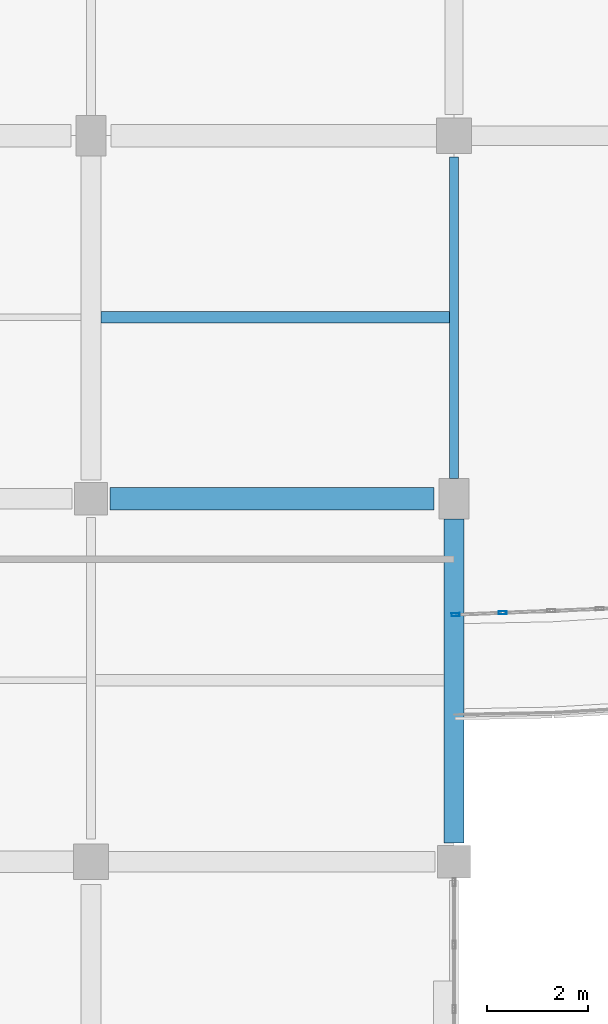
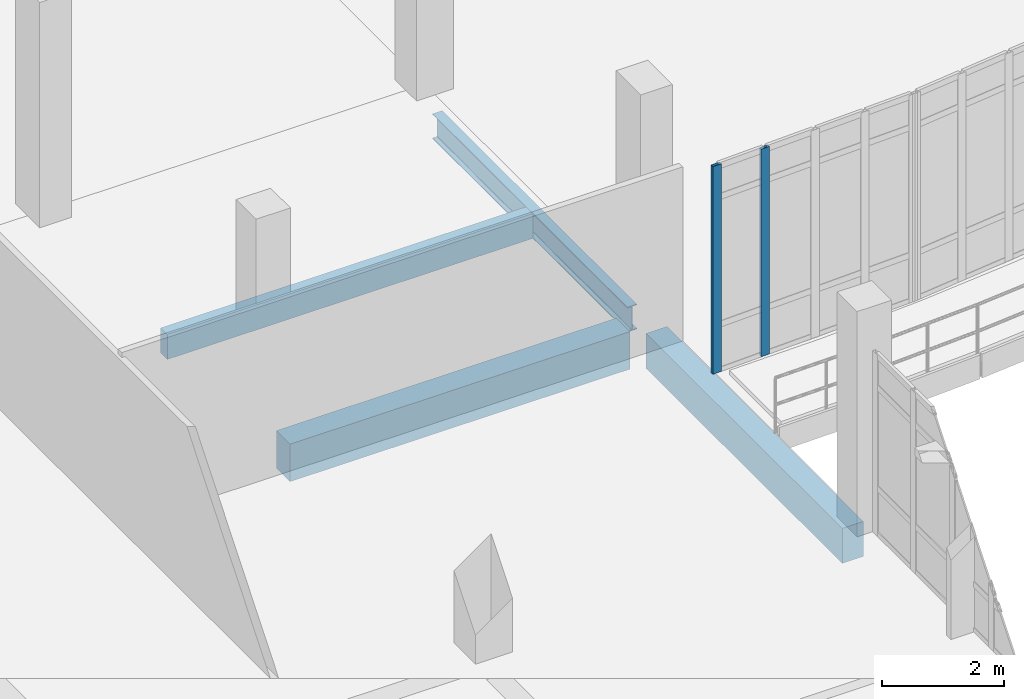
# One storey, part 30 of 124: 4 beams, 2 members, 1 element without a shape of its own.
"""IFC4 building model written with IfcOpenShell, lengths in metres."""

import ifcopenshell
import ifcopenshell.guid

model = None  # the IFC model being written
_history = None  # IfcOwnerHistory: only IFC2X3 demands one
_inside = {}  # id of a spatial element -> (the spatial element, [elements in it])
_under = {}  # id of a project, library or spatial element -> (it, [spatial elements below it])
_declared = {}  # id of a project -> (the project, [libraries it declares])
_typed = {}  # id of a type object -> (the type object, [elements of that type])
_made_of = {}  # id of a material, layer set ... -> (it, [elements and type objects made of it])


def new_model(schema):
    """Start an empty IFC model of exactly this schema.

    Asked for "IFC4X3", IfcOpenShell would pick the latest addendum, in which some entities
    have other attributes; the version numbers below select the first issue.
    IFC2X3 requires an IfcOwnerHistory on every rooted entity: one is made here for all.
    """
    global model, _history
    if schema == "IFC4X3":
        model = ifcopenshell.file(schema_version=(4, 3, 0, 0))
    else:
        model = ifcopenshell.file(schema=schema)
    _inside.clear()
    _under.clear()
    _declared.clear()
    _typed.clear()
    _made_of.clear()
    _history = None
    if model.schema == "IFC2X3":
        org = make("IfcOrganization", Name="unknown")
        user = make(
            "IfcPersonAndOrganization",
            ThePerson=make("IfcPerson", FamilyName="unknown"),
            TheOrganization=org,
        )
        app = make(
            "IfcApplication",
            ApplicationDeveloper=org,
            Version="unknown",
            ApplicationFullName="unknown",
            ApplicationIdentifier="unknown",
        )
        _history = make(
            "IfcOwnerHistory",
            OwningUser=user,
            OwningApplication=app,
            ChangeAction="ADDED",
            CreationDate=0,
        )
    return model


def make(cls, **values):
    """One entity of the class cls with the attributes given. An attribute that is None is left unset."""
    return model.create_entity(
        cls, **{name: value for name, value in values.items() if value is not None}
    )


def rooted(cls, **values):
    """An entity with a GlobalId (a new one), such as an element, a storey or a relation."""
    return make(cls, GlobalId=ifcopenshell.guid.new(), OwnerHistory=_history, **values)


def si_unit(unit_type, name, prefix=None):
    """IfcSIUnit, for example si_unit("LENGTHUNIT", "METRE", prefix="MILLI")."""
    return make("IfcSIUnit", UnitType=unit_type, Prefix=prefix, Name=name)


def assignment(units):
    """IfcUnitAssignment: the units of a project."""
    return None if units is None else make("IfcUnitAssignment", Units=units)


def point(xyz):
    """IfcCartesianPoint."""
    return None if xyz is None else make("IfcCartesianPoint", Coordinates=xyz)


def direction(xyz):
    """IfcDirection."""
    return None if xyz is None else make("IfcDirection", DirectionRatios=xyz)


def frame(location, z_axis=None, x_axis=None):
    """IfcAxis2Placement3D, a coordinate frame: its origin and axes. An axis left out is left unset."""
    return make(
        "IfcAxis2Placement3D",
        Location=point(location),
        Axis=direction(z_axis),
        RefDirection=direction(x_axis),
    )


def frame_2d(location, x_axis=None):
    """IfcAxis2Placement2D, a coordinate frame in the plane: its origin and x axis."""
    return make(
        "IfcAxis2Placement2D", Location=point(location), RefDirection=direction(x_axis)
    )


def origin():
    """The frame at (0, 0, 0) with its axes left unset."""
    return frame((0.0, 0.0, 0.0))


def origin_2d():
    """The frame at (0, 0) in the plane with its x axis left unset."""
    return frame_2d((0.0, 0.0))


def place(relative_to, where):
    """IfcLocalPlacement: puts the frame where relative to a parent placement (None: the world)."""
    return make(
        "IfcLocalPlacement", PlacementRelTo=relative_to, RelativePlacement=where
    )


def context(
    kind, dimensions, precision=None, world=None, true_north=None, identifier=None
):
    """IfcGeometricRepresentationContext, for example the 3D "Model" context."""
    return make(
        "IfcGeometricRepresentationContext",
        ContextIdentifier=identifier,
        ContextType=kind,
        CoordinateSpaceDimension=dimensions,
        Precision=precision,
        WorldCoordinateSystem=world,
        TrueNorth=true_north,
    )


def subcontext(parent, identifier, kind, view, scale=None):
    """IfcGeometricRepresentationSubContext, for example "Body" below "Model"."""
    return make(
        "IfcGeometricRepresentationSubContext",
        ContextIdentifier=identifier,
        ContextType=kind,
        ParentContext=parent,
        TargetScale=scale,
        TargetView=view,
    )


def project(units=None, contexts=None):
    """IfcProject with its units and contexts."""
    return rooted(
        "IfcProject",
        Name="project",
        RepresentationContexts=contexts,
        UnitsInContext=assignment(units),
    )


def spatial(cls, under=None, at=None, **own):
    """A site, building, storey or space (cls), placed at a placement, below another one or the project."""
    s = rooted(cls, ObjectPlacement=at, **own)
    if under is not None:
        _under.setdefault(under.id(), (under, []))[1].append(s)
    return s


def profile(cls, at=None, kind="AREA", **sizes):
    """A parametric profile (cls). Its sizes go by their IFC names, for example OverallWidth=200.0."""
    return make(cls, ProfileType=kind, Position=at, **sizes)


def rectangle(**sizes):
    """IfcRectangleProfileDef."""
    return profile("IfcRectangleProfileDef", **sizes)


def hollow_rectangle(**sizes):
    """IfcRectangleHollowProfileDef."""
    return profile("IfcRectangleHollowProfileDef", **sizes)


def i_section(**sizes):
    """IfcIShapeProfileDef."""
    return profile("IfcIShapeProfileDef", **sizes)


def extrude(swept, where, along, depth):
    """IfcExtrudedAreaSolid: the profile swept, set in the frame where, extruded along a direction by depth."""
    return make(
        "IfcExtrudedAreaSolid",
        SweptArea=swept,
        Position=where,
        ExtrudedDirection=direction(along),
        Depth=depth,
    )


def shape(context_of_items, identifier, shape_type, items):
    """IfcShapeRepresentation: the items that make up one representation, for example the "Body"."""
    return make(
        "IfcShapeRepresentation",
        ContextOfItems=context_of_items,
        RepresentationIdentifier=identifier,
        RepresentationType=shape_type,
        Items=items,
    )


def material(Name=None, Category=None):
    """IfcMaterial."""
    return make("IfcMaterial", Name=Name, Category=Category)


def material_profile(
    of_material, cross_section, Name=None, Category=None, Priority=None
):
    """IfcMaterialProfile: a cross section and its material."""
    return make(
        "IfcMaterialProfile",
        Name=Name,
        Material=of_material,
        Profile=cross_section,
        Priority=Priority,
        Category=Category,
    )


def profile_set(profiles, Name=None, composite=None):
    """IfcMaterialProfileSet."""
    return make(
        "IfcMaterialProfileSet",
        Name=Name,
        MaterialProfiles=profiles,
        CompositeProfile=composite,
    )


def made_of(thing, what):
    """Note that an element or type object is made of a material, layer set ...; save() writes the relation."""
    if what is not None:
        _made_of.setdefault(what.id(), (what, []))[1].append(thing)
    return thing


def type_object(cls, material=None, **own):
    """A type object (cls), such as IfcWallType, which elements share."""
    return made_of(rooted(cls, **own), material)


def element(
    cls,
    number,
    at=None,
    inside=None,
    cuts=None,
    type_object=None,
    material=None,
    context=None,
    identifier="Body",
    shape_type=None,
    held_by="IfcProductDefinitionShape",
    body=None,
    shapes=None,
    **own,
):
    """One element of the class cls, such as IfcWall. Its Tag is "e" and its number.

    at: its placement. inside: the storey or other place that contains it. cuts: it is an
    opening in that element (IfcRelVoidsElement). A single representation is given by context,
    identifier, shape_type and body (its items); several are given by shapes. held_by: the class
    of the entity that holds the representations. save() writes the other relations.
    """
    e = rooted(cls, Tag="e%d" % number, ObjectPlacement=at, **own)
    if body is not None:
        shapes = [shape(context, identifier, shape_type, body)]
    if shapes is not None:
        e.Representation = make(held_by, Representations=shapes)
    if inside is not None:
        _inside.setdefault(inside.id(), (inside, []))[1].append(e)
    if cuts is not None:
        rooted(
            "IfcRelVoidsElement", RelatingBuildingElement=cuts, RelatedOpeningElement=e
        )
    if type_object is not None:
        _typed.setdefault(type_object.id(), (type_object, []))[1].append(e)
    return made_of(e, material)


def aggregate(whole, parts):
    """IfcRelAggregates: a whole, such as a stair, and the parts it consists of."""
    return rooted("IfcRelAggregates", RelatingObject=whole, RelatedObjects=parts)


def save(model, path):
    """Write the relations noted so far, then the file.

    IfcRelAggregates (storeys below a building ...), IfcRelContainedInSpatialStructure (elements
    in a storey), IfcRelDefinesByType, IfcRelAssociatesMaterial and IfcRelDeclares: one each for
    every whole, place, type object, material and project.
    """
    for whole, parts in _under.values():
        aggregate(whole, parts)
    for where, things in _inside.values():
        rooted(
            "IfcRelContainedInSpatialStructure",
            RelatedElements=things,
            RelatingStructure=where,
        )
    for kind, things in _typed.values():
        rooted("IfcRelDefinesByType", RelatedObjects=things, RelatingType=kind)
    for what, things in _made_of.values():
        rooted("IfcRelAssociatesMaterial", RelatedObjects=things, RelatingMaterial=what)
    for by, libraries in _declared.values():
        rooted("IfcRelDeclares", RelatingContext=by, RelatedDefinitions=libraries)
    model.write(path)


model = new_model("IFC4")

# Units and contexts
model_context = context("Model", 3, precision=1e-05, world=origin(), true_north=direction((0.0, 1.0)))
body_context = subcontext(model_context, "Body", "Model", "MODEL_VIEW")
ifc_project = project(units=[si_unit("LENGTHUNIT", "METRE"), si_unit("AREAUNIT", "SQUARE_METRE"), si_unit("VOLUMEUNIT", "CUBIC_METRE"), si_unit("PLANEANGLEUNIT", "RADIAN"), si_unit("MASSUNIT", "GRAM", prefix="KILO")], contexts=[model_context])

# Site, building, storey
site_placement = place(None, origin())
site = spatial("IfcSite", under=ifc_project, at=site_placement, CompositionType="ELEMENT")
building_placement = place(site_placement, origin())
building = spatial("IfcBuilding", under=site, at=building_placement, Name="Kalluvel Institute of Natural Sciences", CompositionType="ELEMENT")
storey_placement = place(building_placement, frame((0.0, 0.0, 9.89990234375)))
storey = spatial("IfcBuildingStorey", under=building, at=storey_placement, Name="L02", CompositionType="ELEMENT", Elevation=9.89990234375)

# Beams
ifc_material_1 = material(Name="Steel E350 Grade 350", Category="steel")
ifc_material_profile_1 = material_profile(ifc_material_1, i_section(OverallWidth=0.179931640625, OverallDepth=0.5, WebThickness=0.01025390625, FlangeThickness=0.01708984375, FilletRadius=0.01708984375, at=origin_2d()), Name="ISMB 500")
ifc_profile_set_1 = profile_set([ifc_material_profile_1], Name="Steel E350 Grade 350")
beam_type_1 = type_object("IfcBeamType", Name="BM-ISMB500", PredefinedType="BEAM", material=ifc_profile_set_1)
beam_1_placement = place(storey_placement, frame((35.60009765625, 57.60009765625, -0.5498046875), z_axis=(0.0, 1.0, 0.0), x_axis=(-1.0, 0.0, 0.0)))
element("IfcBeam", 1, at=beam_1_placement, inside=storey, type_object=beam_type_1, Name="L02 girder GIR-L02-NS-X356-Y572", PredefinedType="BEAM", context=body_context, shape_type="SweptSolid", body=[
    extrude(i_section(OverallWidth=0.179931640625, OverallDepth=0.5, WebThickness=0.01025390625, FlangeThickness=0.01708984375, FilletRadius=0.01708984375, at=origin_2d()), origin(), (0.0, 0.0, 1.0), 6.375),
])
ifc_material_2 = material(Name="Concrete M40", Category="concrete")
ifc_material_profile_2 = material_profile(ifc_material_2, rectangle(XDim=0.39990234375, YDim=0.699951171875, at=origin_2d()), Name="RCB 400x700")
ifc_profile_set_2 = profile_set([ifc_material_profile_2], Name="Concrete M40")
beam_type_2 = type_object("IfcBeamType", Name="BM-RC400x700", PredefinedType="BEAM", material=ifc_profile_set_2)
beam_2_placement = place(storey_placement, frame((35.60009765625, 50.375, -0.64990234375), z_axis=(0.0, 1.0, 0.0), x_axis=(-1.0, 0.0, 0.0)))
element("IfcBeam", 2, at=beam_2_placement, inside=storey, type_object=beam_type_2, Name="L02 girder GIR-L02-NS-X356-Y500", PredefinedType="BEAM", context=body_context, shape_type="SweptSolid", body=[
    extrude(rectangle(XDim=0.39990234375, YDim=0.699951171875, at=origin_2d()), origin(), (0.0, 0.0, 1.0), 6.425048828125),
])
ifc_material_profile_3 = material_profile(ifc_material_2, rectangle(XDim=0.449951171875, YDim=0.75, at=origin_2d()), Name="RCB 450x750")
ifc_profile_set_3 = profile_set([ifc_material_profile_3], Name="Concrete M40")
beam_type_3 = type_object("IfcBeamType", Name="BM-RC450x750", PredefinedType="BEAM", material=ifc_profile_set_3)
beam_3_placement = place(storey_placement, frame((28.77490234375, 57.199951171875, -0.6748046875), z_axis=(1.0, 0.0, 0.0), x_axis=(0.0, 1.0, 0.0)))
element("IfcBeam", 3, at=beam_3_placement, inside=storey, type_object=beam_type_3, Name="L02 girder GIR-L02-EW-X284-Y572", PredefinedType="BEAM", context=body_context, shape_type="SweptSolid", body=[
    extrude(rectangle(XDim=0.449951171875, YDim=0.75, at=origin_2d()), origin(), (0.0, 0.0, 1.0), 6.425048828125),
])

# Curtain wall, members
ifc_material_3 = material(Name="Aluminium AW-6063 T6", Category="aluminium")
curtain_wall_type = type_object("IfcCurtainWallType", Name="CW-ATR-ARC", PredefinedType="USERDEFINED", material=ifc_material_3)
curtain_wall_placement = place(storey_placement, origin())
curtain_wall = element("IfcCurtainWall", 4, at=curtain_wall_placement, inside=storey, type_object=curtain_wall_type, Name="L02 Gothic lancet curtain wall CWA-L02-X356-Y549", ObjectType="UNITISED LANCET FACADE", PredefinedType="USERDEFINED")
ifc_material_profile_4 = material_profile(ifc_material_3, hollow_rectangle(XDim=0.06005859375, YDim=0.159912109375, WallThickness=0.00390625, at=origin_2d()), Name="CWM 60x160")
ifc_profile_set_4 = profile_set([ifc_material_profile_4], Name="Aluminium AW-6063 T6")
member_type = type_object("IfcMemberType", Name="CWM-60x160", PredefinedType="MULLION", material=ifc_profile_set_4)
member_1_placement = place(storey_placement, frame((35.6298828125, 54.901123046875, 0.0), z_axis=(0.0, 0.0, 1.0), x_axis=(-0.040259992374, 0.999189237839, 0.0)))
member_1 = element("IfcMember", 5, at=member_1_placement, type_object=member_type, Name="CW-05 mullion 1", PredefinedType="MULLION", context=body_context, shape_type="SweptSolid", body=[
    extrude(hollow_rectangle(XDim=0.06005859375, YDim=0.159912109375, WallThickness=0.00390625, at=origin_2d()), origin(), (0.0, 0.0, 1.0), 4.150146484375),
])
member_2_placement = place(storey_placement, frame((36.5634765625, 54.938720703125, 0.0), z_axis=(0.0, 0.0, 1.0), x_axis=(-0.040259992374, 0.999189237839, 0.0)))
member_2 = element("IfcMember", 6, at=member_2_placement, type_object=member_type, Name="CW-05 mullion 2", PredefinedType="MULLION", context=body_context, shape_type="SweptSolid", body=[
    extrude(hollow_rectangle(XDim=0.06005859375, YDim=0.159912109375, WallThickness=0.00390625, at=origin_2d()), origin(), (0.0, 0.0, 1.0), 4.150146484375),
])
aggregate(curtain_wall, [member_1, member_2])

# Beam
ifc_material_profile_5 = material_profile(ifc_material_2, rectangle(XDim=0.219970703125, YDim=0.5, at=origin_2d()), Name="WAF 220x500")
ifc_profile_set_5 = profile_set([ifc_material_profile_5], Name="Concrete M40")
beam_type_4 = type_object("IfcBeamType", Name="WJ-220x500", PredefinedType="JOIST", material=ifc_profile_set_5)
beam_4_placement = place(storey_placement, frame((28.60009765625, 60.800048828125, -0.5498046875), z_axis=(1.0, 0.0, 0.0), x_axis=(0.0, 1.0, 0.0)))
element("IfcBeam", 7, at=beam_4_placement, inside=storey, type_object=beam_type_4, Name="L02 floor rib RIB-L02-0670", PredefinedType="JOIST", context=body_context, shape_type="SweptSolid", body=[
    extrude(rectangle(XDim=0.219970703125, YDim=0.5, at=origin_2d()), origin(), (0.0, 0.0, 1.0), 6.909912109375),
])

save(model, "model.ifc")
